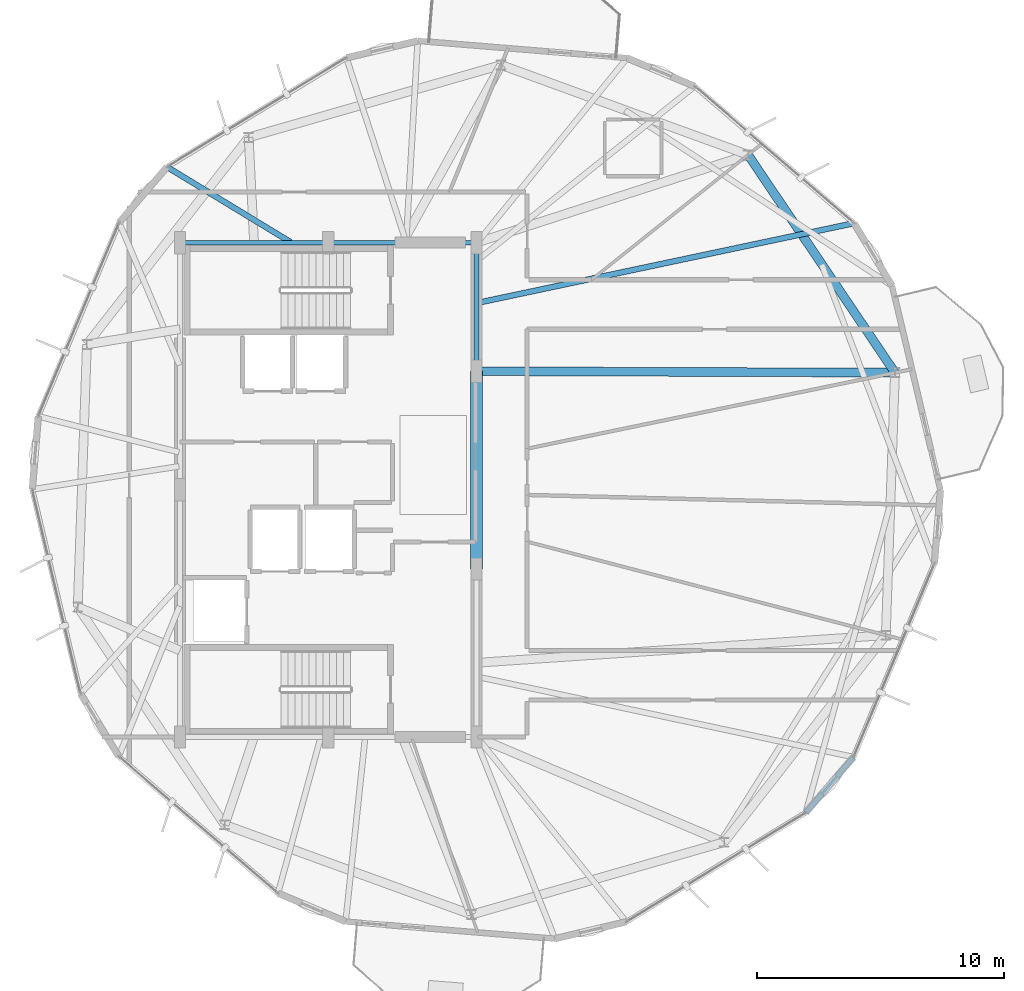
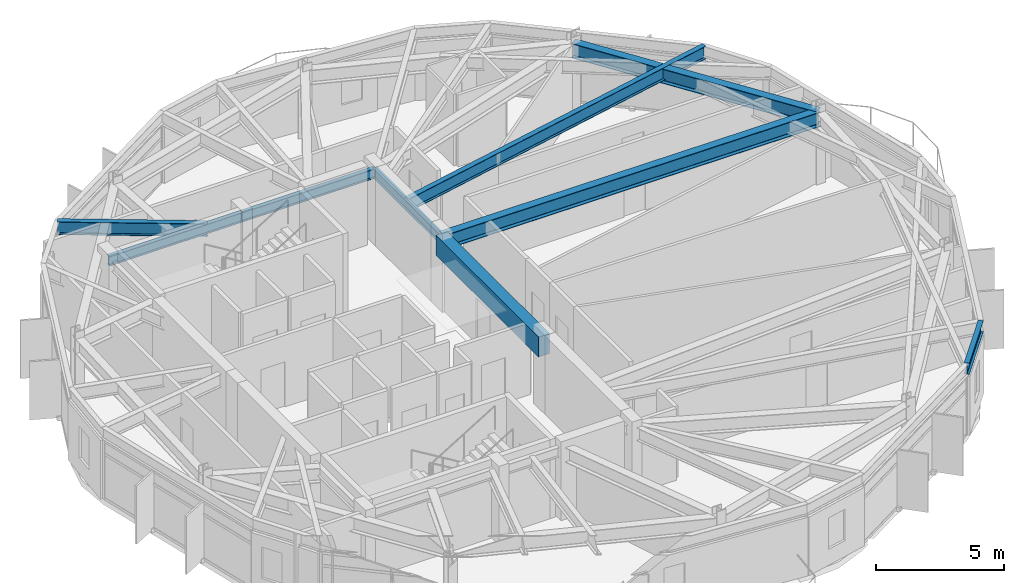
# One storey, part 9 of 23: 9 beams.
"""IFC4 building model written with IfcOpenShell, lengths in metres."""

import ifcopenshell
import ifcopenshell.guid

model = None  # the IFC model being written
_history = None  # IfcOwnerHistory: only IFC2X3 demands one
_inside = {}  # id of a spatial element -> (the spatial element, [elements in it])
_under = {}  # id of a project, library or spatial element -> (it, [spatial elements below it])
_declared = {}  # id of a project -> (the project, [libraries it declares])
_typed = {}  # id of a type object -> (the type object, [elements of that type])
_made_of = {}  # id of a material, layer set ... -> (it, [elements and type objects made of it])


def new_model(schema):
    """Start an empty IFC model of exactly this schema.

    Asked for "IFC4X3", IfcOpenShell would pick the latest addendum, in which some entities
    have other attributes; the version numbers below select the first issue.
    IFC2X3 requires an IfcOwnerHistory on every rooted entity: one is made here for all.
    """
    global model, _history
    if schema == "IFC4X3":
        model = ifcopenshell.file(schema_version=(4, 3, 0, 0))
    else:
        model = ifcopenshell.file(schema=schema)
    _inside.clear()
    _under.clear()
    _declared.clear()
    _typed.clear()
    _made_of.clear()
    _history = None
    if model.schema == "IFC2X3":
        org = make("IfcOrganization", Name="unknown")
        user = make(
            "IfcPersonAndOrganization",
            ThePerson=make("IfcPerson", FamilyName="unknown"),
            TheOrganization=org,
        )
        app = make(
            "IfcApplication",
            ApplicationDeveloper=org,
            Version="unknown",
            ApplicationFullName="unknown",
            ApplicationIdentifier="unknown",
        )
        _history = make(
            "IfcOwnerHistory",
            OwningUser=user,
            OwningApplication=app,
            ChangeAction="ADDED",
            CreationDate=0,
        )
    return model


def make(cls, **values):
    """One entity of the class cls with the attributes given. An attribute that is None is left unset."""
    return model.create_entity(
        cls, **{name: value for name, value in values.items() if value is not None}
    )


def rooted(cls, **values):
    """An entity with a GlobalId (a new one), such as an element, a storey or a relation."""
    return make(cls, GlobalId=ifcopenshell.guid.new(), OwnerHistory=_history, **values)


def si_unit(unit_type, name, prefix=None):
    """IfcSIUnit, for example si_unit("LENGTHUNIT", "METRE", prefix="MILLI")."""
    return make("IfcSIUnit", UnitType=unit_type, Prefix=prefix, Name=name)


def assignment(units):
    """IfcUnitAssignment: the units of a project."""
    return None if units is None else make("IfcUnitAssignment", Units=units)


def point(xyz):
    """IfcCartesianPoint."""
    return None if xyz is None else make("IfcCartesianPoint", Coordinates=xyz)


def direction(xyz):
    """IfcDirection."""
    return None if xyz is None else make("IfcDirection", DirectionRatios=xyz)


def frame(location, z_axis=None, x_axis=None):
    """IfcAxis2Placement3D, a coordinate frame: its origin and axes. An axis left out is left unset."""
    return make(
        "IfcAxis2Placement3D",
        Location=point(location),
        Axis=direction(z_axis),
        RefDirection=direction(x_axis),
    )


def frame_2d(location, x_axis=None):
    """IfcAxis2Placement2D, a coordinate frame in the plane: its origin and x axis."""
    return make(
        "IfcAxis2Placement2D", Location=point(location), RefDirection=direction(x_axis)
    )


def origin():
    """The frame at (0, 0, 0) with its axes left unset."""
    return frame((0.0, 0.0, 0.0))


def origin_2d():
    """The frame at (0, 0) in the plane with its x axis left unset."""
    return frame_2d((0.0, 0.0))


def place(relative_to, where):
    """IfcLocalPlacement: puts the frame where relative to a parent placement (None: the world)."""
    return make(
        "IfcLocalPlacement", PlacementRelTo=relative_to, RelativePlacement=where
    )


def context(
    kind, dimensions, precision=None, world=None, true_north=None, identifier=None
):
    """IfcGeometricRepresentationContext, for example the 3D "Model" context."""
    return make(
        "IfcGeometricRepresentationContext",
        ContextIdentifier=identifier,
        ContextType=kind,
        CoordinateSpaceDimension=dimensions,
        Precision=precision,
        WorldCoordinateSystem=world,
        TrueNorth=true_north,
    )


def subcontext(parent, identifier, kind, view, scale=None):
    """IfcGeometricRepresentationSubContext, for example "Body" below "Model"."""
    return make(
        "IfcGeometricRepresentationSubContext",
        ContextIdentifier=identifier,
        ContextType=kind,
        ParentContext=parent,
        TargetScale=scale,
        TargetView=view,
    )


def project(units=None, contexts=None):
    """IfcProject with its units and contexts."""
    return rooted(
        "IfcProject",
        Name="project",
        RepresentationContexts=contexts,
        UnitsInContext=assignment(units),
    )


def spatial(cls, under=None, at=None, **own):
    """A site, building, storey or space (cls), placed at a placement, below another one or the project."""
    s = rooted(cls, ObjectPlacement=at, **own)
    if under is not None:
        _under.setdefault(under.id(), (under, []))[1].append(s)
    return s


def profile(cls, at=None, kind="AREA", **sizes):
    """A parametric profile (cls). Its sizes go by their IFC names, for example OverallWidth=200.0."""
    return make(cls, ProfileType=kind, Position=at, **sizes)


def rectangle(**sizes):
    """IfcRectangleProfileDef."""
    return profile("IfcRectangleProfileDef", **sizes)


def i_section(**sizes):
    """IfcIShapeProfileDef."""
    return profile("IfcIShapeProfileDef", **sizes)


def extrude(swept, where, along, depth):
    """IfcExtrudedAreaSolid: the profile swept, set in the frame where, extruded along a direction by depth."""
    return make(
        "IfcExtrudedAreaSolid",
        SweptArea=swept,
        Position=where,
        ExtrudedDirection=direction(along),
        Depth=depth,
    )


def shape(context_of_items, identifier, shape_type, items):
    """IfcShapeRepresentation: the items that make up one representation, for example the "Body"."""
    return make(
        "IfcShapeRepresentation",
        ContextOfItems=context_of_items,
        RepresentationIdentifier=identifier,
        RepresentationType=shape_type,
        Items=items,
    )


def material(Name=None, Category=None):
    """IfcMaterial."""
    return make("IfcMaterial", Name=Name, Category=Category)


def material_profile(
    of_material, cross_section, Name=None, Category=None, Priority=None
):
    """IfcMaterialProfile: a cross section and its material."""
    return make(
        "IfcMaterialProfile",
        Name=Name,
        Material=of_material,
        Profile=cross_section,
        Priority=Priority,
        Category=Category,
    )


def profile_set(profiles, Name=None, composite=None):
    """IfcMaterialProfileSet."""
    return make(
        "IfcMaterialProfileSet",
        Name=Name,
        MaterialProfiles=profiles,
        CompositeProfile=composite,
    )


def made_of(thing, what):
    """Note that an element or type object is made of a material, layer set ...; save() writes the relation."""
    if what is not None:
        _made_of.setdefault(what.id(), (what, []))[1].append(thing)
    return thing


def type_object(cls, material=None, **own):
    """A type object (cls), such as IfcWallType, which elements share."""
    return made_of(rooted(cls, **own), material)


def element(
    cls,
    number,
    at=None,
    inside=None,
    cuts=None,
    type_object=None,
    material=None,
    context=None,
    identifier="Body",
    shape_type=None,
    held_by="IfcProductDefinitionShape",
    body=None,
    shapes=None,
    **own,
):
    """One element of the class cls, such as IfcWall. Its Tag is "e" and its number.

    at: its placement. inside: the storey or other place that contains it. cuts: it is an
    opening in that element (IfcRelVoidsElement). A single representation is given by context,
    identifier, shape_type and body (its items); several are given by shapes. held_by: the class
    of the entity that holds the representations. save() writes the other relations.
    """
    e = rooted(cls, Tag="e%d" % number, ObjectPlacement=at, **own)
    if body is not None:
        shapes = [shape(context, identifier, shape_type, body)]
    if shapes is not None:
        e.Representation = make(held_by, Representations=shapes)
    if inside is not None:
        _inside.setdefault(inside.id(), (inside, []))[1].append(e)
    if cuts is not None:
        rooted(
            "IfcRelVoidsElement", RelatingBuildingElement=cuts, RelatedOpeningElement=e
        )
    if type_object is not None:
        _typed.setdefault(type_object.id(), (type_object, []))[1].append(e)
    return made_of(e, material)


def aggregate(whole, parts):
    """IfcRelAggregates: a whole, such as a stair, and the parts it consists of."""
    return rooted("IfcRelAggregates", RelatingObject=whole, RelatedObjects=parts)


def save(model, path):
    """Write the relations noted so far, then the file.

    IfcRelAggregates (storeys below a building ...), IfcRelContainedInSpatialStructure (elements
    in a storey), IfcRelDefinesByType, IfcRelAssociatesMaterial and IfcRelDeclares: one each for
    every whole, place, type object, material and project.
    """
    for whole, parts in _under.values():
        aggregate(whole, parts)
    for where, things in _inside.values():
        rooted(
            "IfcRelContainedInSpatialStructure",
            RelatedElements=things,
            RelatingStructure=where,
        )
    for kind, things in _typed.values():
        rooted("IfcRelDefinesByType", RelatedObjects=things, RelatingType=kind)
    for what, things in _made_of.values():
        rooted("IfcRelAssociatesMaterial", RelatedObjects=things, RelatingMaterial=what)
    for by, libraries in _declared.values():
        rooted("IfcRelDeclares", RelatingContext=by, RelatedDefinitions=libraries)
    model.write(path)


model = new_model("IFC4")

# Units and contexts
model_context = context("Model", 3, precision=1e-05, world=origin(), true_north=direction((0.0, 1.0)))
body_context = subcontext(model_context, "Body", "Model", "MODEL_VIEW")
ifc_project = project(units=[si_unit("LENGTHUNIT", "METRE"), si_unit("AREAUNIT", "SQUARE_METRE"), si_unit("VOLUMEUNIT", "CUBIC_METRE"), si_unit("PLANEANGLEUNIT", "RADIAN"), si_unit("MASSUNIT", "GRAM", prefix="KILO")], contexts=[model_context])

# Site, building, storey
site_placement = place(None, origin())
site = spatial("IfcSite", under=ifc_project, at=site_placement, CompositionType="ELEMENT")
building_placement = place(site_placement, origin())
building = spatial("IfcBuilding", under=site, at=building_placement, Name="Soratama Intermodal Tower", CompositionType="ELEMENT")
storey_placement = place(building_placement, frame((0.0, 0.0, 280.0)))
storey = spatial("IfcBuildingStorey", under=building, at=storey_placement, Name="L71", CompositionType="ELEMENT", Elevation=280.0)

# Beams
ifc_material_1 = material(Name="Concrete f'c 56 MPa", Category="concrete")
ifc_material_profile_1 = material_profile(ifc_material_1, rectangle(XDim=0.5, YDim=0.949951171875, at=origin_2d()), Name="RC500X950")
ifc_profile_set_1 = profile_set([ifc_material_profile_1], Name="Concrete f'c 56 MPa")
beam_type_1 = type_object("IfcBeamType", Name="BM-CPL-RC500X950", PredefinedType="BEAM", material=ifc_profile_set_1)
beam_1_placement = place(storey_placement, frame((44.60009765625, 21.800048828125, 2.93505859375), z_axis=(0.0, 1.0, 0.0), x_axis=(-1.0, 0.0, 0.0)))
element("IfcBeam", 1, at=beam_1_placement, inside=storey, type_object=beam_type_1, Name="L71 Core Coupling Beam East", PredefinedType="BEAM", context=body_context, shape_type="SweptSolid", body=[
    extrude(rectangle(XDim=0.5, YDim=0.949951171875, at=origin_2d()), origin(), (0.0, 0.0, 1.0), 8.0),
])
ifc_material_2 = material(Name="Structural steel ASTM A992 Grade 50", Category="steel")
ifc_material_profile_2 = material_profile(ifc_material_2, i_section(OverallWidth=0.19091796875, OverallDepth=0.4599609375, WebThickness=0.010009765625, FlangeThickness=0.01611328125, FilletRadius=0.010986328125, at=origin_2d()), Name="W18X55")
ifc_profile_set_2 = profile_set([ifc_material_profile_2], Name="Structural steel ASTM A992 Grade 50")
beam_type_2 = type_object("IfcBeamType", Name="BM-FLR-W18X55", PredefinedType="BEAM", material=ifc_profile_set_2)
beam_2_placement = place(storey_placement, frame((44.60009765625, 29.800048828125, 3.179931640625), z_axis=(0.0, 1.0, 0.0), x_axis=(-1.0, 0.0, 0.0)))
element("IfcBeam", 2, at=beam_2_placement, inside=storey, type_object=beam_type_2, Name="BM-L71-CRING-05", PredefinedType="BEAM", context=body_context, shape_type="SweptSolid", body=[
    extrude(i_section(OverallWidth=0.19091796875, OverallDepth=0.4599609375, WebThickness=0.010009765625, FlangeThickness=0.01611328125, FilletRadius=0.010986328125, at=origin_2d()), origin(), (0.0, 0.0, 1.0), 5.199951171875),
])
for number, where, z_axis, x_axis, name in (
    (3, (44.60009765625, 35.0, 3.179931640625), (-1.0, 0.0, 0.0), (0.0, -1.0, 0.0), "BM-L71-CRING-06"),
    (4, (38.60009765625, 35.0, 3.179931640625), (-1.0, 0.0, 0.0), (0.0, -1.0, 0.0), "BM-L71-CRING-07"),
):
    element("IfcBeam", number, at=place(storey_placement, frame(where, z_axis=z_axis, x_axis=x_axis)), inside=storey, type_object=beam_type_2, Name=name, PredefinedType="BEAM", context=body_context, shape_type="SweptSolid", body=[
        extrude(i_section(OverallWidth=0.19091796875, OverallDepth=0.4599609375, WebThickness=0.010009765625, FlangeThickness=0.01611328125, FilletRadius=0.010986328125, at=origin_2d()), origin(), (0.0, 0.0, 1.0), 6.0),
    ])
ifc_material_3 = material(Name="Structural steel ASTM A992 Grade 50", Category="steel")
ifc_material_profile_3 = material_profile(ifc_material_3, i_section(OverallWidth=0.35498046875, OverallDepth=0.695068359375, WebThickness=0.015380859375, FlangeThickness=0.02490234375, FilletRadius=0.01611328125, at=origin_2d()), Name="W27X146")
ifc_profile_set_3 = profile_set([ifc_material_profile_3], Name="Structural steel ASTM A992 Grade 50")
beam_type_3 = type_object("IfcBeamType", Name="BM-RING-W27X146", PredefinedType="BEAM", material=ifc_profile_set_3)
beam_3_placement = place(storey_placement, frame((61.533935546875, 29.740966796875, 3.0625), z_axis=(-0.559218025165, 0.829020627204, 0.0), x_axis=(-0.829020627204, -0.559218025165, 0.0)))
element("IfcBeam", 5, at=beam_3_placement, inside=storey, type_object=beam_type_3, Name="BM-L71-RING-01", PredefinedType="BEAM", context=body_context, shape_type="SweptSolid", body=[
    extrude(i_section(OverallWidth=0.35498046875, OverallDepth=0.695068359375, WebThickness=0.015380859375, FlangeThickness=0.02490234375, FilletRadius=0.01611328125, at=origin_2d()), origin(), (0.0, 0.0, 1.0), 10.630615234375),
])
beam_4_placement = place(storey_placement, frame((44.60009765625, 29.800048828125, 3.0625), z_axis=(0.999993913522, -0.003488971138, 0.0), x_axis=(0.003488971138, 0.999993913522, 0.0)))
element("IfcBeam", 6, at=beam_4_placement, inside=storey, type_object=beam_type_3, Name="BM-L71-RAD-01", PredefinedType="BEAM", context=body_context, shape_type="SweptSolid", body=[
    extrude(i_section(OverallWidth=0.35498046875, OverallDepth=0.695068359375, WebThickness=0.015380859375, FlangeThickness=0.02490234375, FilletRadius=0.01611328125, at=origin_2d()), origin(), (0.0, 0.0, 1.0), 16.933837890625),
])
ifc_material_4 = material(Name="Structural steel ASTM A992 Grade 50", Category="steel")
ifc_material_profile_4 = material_profile(ifc_material_4, i_section(OverallWidth=0.2099609375, OverallDepth=0.537109375, WebThickness=0.010986328125, FlangeThickness=0.017333984375, FilletRadius=0.012939453125, at=origin_2d()), Name="W21X68")
ifc_profile_set_4 = profile_set([ifc_material_profile_4], Name="Structural steel ASTM A992 Grade 50")
beam_type_4 = type_object("IfcBeamType", Name="BM-SPN-W21X68", PredefinedType="SPANDREL", material=ifc_profile_set_4)
beam_5_placement = place(storey_placement, frame((57.925048828125, 11.93505859375, 3.1416015625), z_axis=(0.651976810256, 0.758238906209, 0.0), x_axis=(-0.758238906209, 0.651976810256, 0.0)))
element("IfcBeam", 7, at=beam_5_placement, inside=storey, type_object=beam_type_4, Name="BS-L71-CRN07", PredefinedType="SPANDREL", context=body_context, shape_type="SweptSolid", body=[
    extrude(i_section(OverallWidth=0.2099609375, OverallDepth=0.537109375, WebThickness=0.010986328125, FlangeThickness=0.017333984375, FilletRadius=0.012939453125, at=origin_2d()), origin(), (0.0, 0.0, 1.0), 2.966064453125),
])
ifc_material_5 = material(Name="Structural steel ASTM A992 Grade 50", Category="steel")
ifc_material_profile_5 = material_profile(ifc_material_5, i_section(OverallWidth=0.22900390625, OverallDepth=0.612060546875, WebThickness=0.011962890625, FlangeThickness=0.01953125, FilletRadius=0.012939453125, at=origin_2d()), Name="W24X84")
ifc_profile_set_5 = profile_set([ifc_material_profile_5], Name="Structural steel ASTM A992 Grade 50")
beam_type_5 = type_object("IfcBeamType", Name="BM-TIE-W24X84", PredefinedType="BEAM", material=ifc_profile_set_5)
beam_6_placement = place(storey_placement, frame((37.080078125, 35.02099609375, 3.10400390625), z_axis=(-0.854399686149, 0.519616374172, 0.0), x_axis=(-0.519616374172, -0.854399686149, 0.0)))
element("IfcBeam", 8, at=beam_6_placement, inside=storey, type_object=beam_type_5, Name="BM-L71-TIE1-02", PredefinedType="BEAM", context=body_context, shape_type="SweptSolid", body=[
    extrude(i_section(OverallWidth=0.22900390625, OverallDepth=0.612060546875, WebThickness=0.011962890625, FlangeThickness=0.01953125, FilletRadius=0.012939453125, at=origin_2d()), origin(), (0.0, 0.0, 1.0), 5.858154296875),
])
beam_7_placement = place(storey_placement, frame((44.638916015625, 32.56396484375, 3.10400390625), z_axis=(0.978330718686, 0.207048315318, 0.0), x_axis=(-0.207048315318, 0.978330718686, 0.0)))
element("IfcBeam", 9, at=beam_7_placement, inside=storey, type_object=beam_type_5, Name="BM-L71-TIE0-10", PredefinedType="BEAM", context=body_context, shape_type="SweptSolid", body=[
    extrude(i_section(OverallWidth=0.22900390625, OverallDepth=0.612060546875, WebThickness=0.011962890625, FlangeThickness=0.01953125, FilletRadius=0.012939453125, at=origin_2d()), origin(), (0.0, 0.0, 1.0), 15.57666015625),
])

save(model, "model.ifc")
